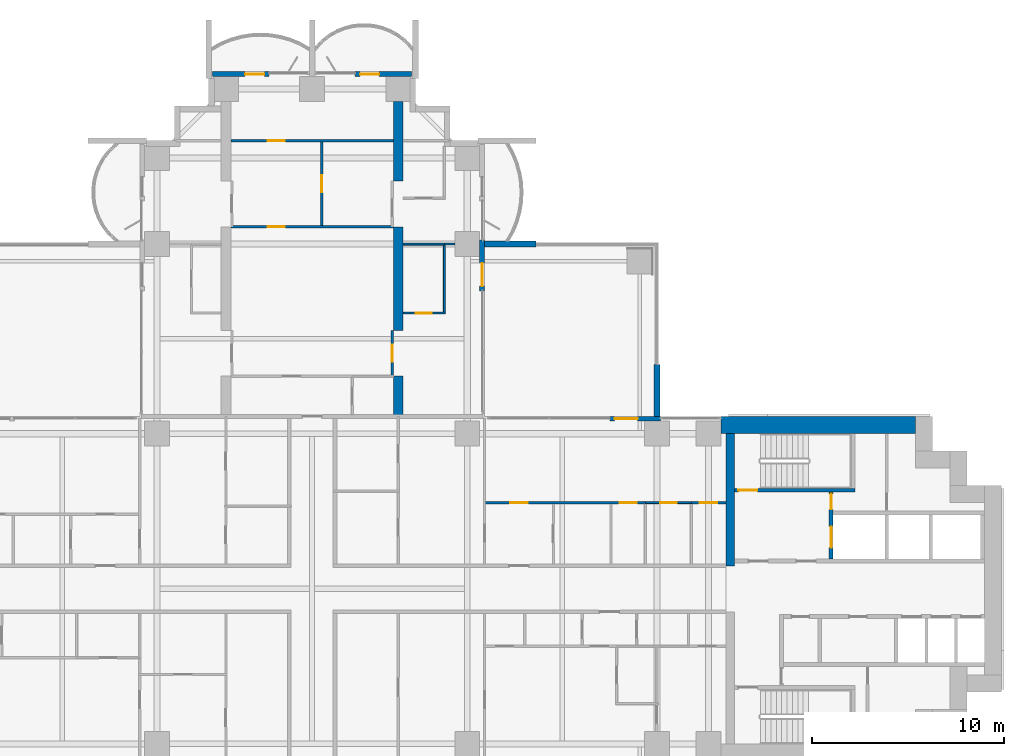
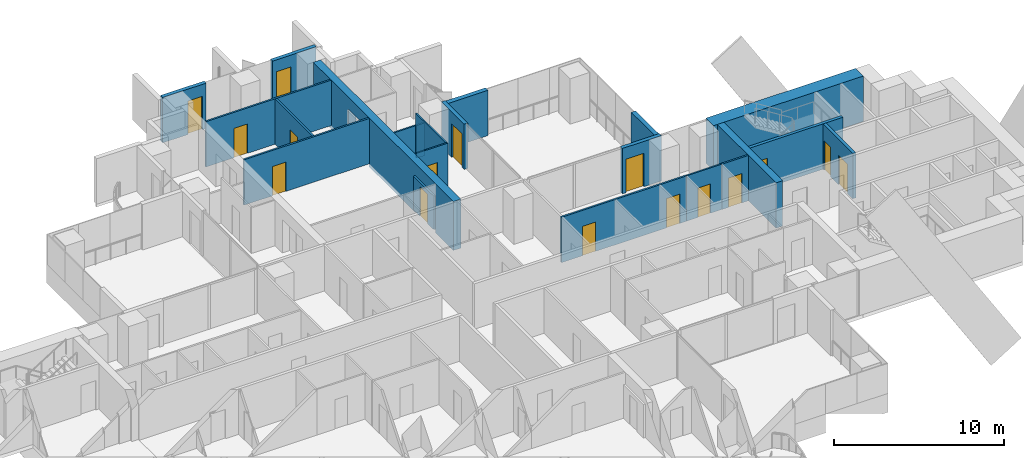
# One storey, part 16 of 23: 22 walls, 16 doors, 16 openings.
"""IFC4 building model written with IfcOpenShell, lengths in metres."""

from ifc_helpers import new_model, si_unit, direction, frame, frame_2d, origin, place, context, subcontext, project, spatial, polyline, rectangle, outline, extrude, material, layer, layer_set, material_profile, profile_set, type_object, element, fill, save


model = new_model("IFC4")

# Units and contexts
model_context = context("Model", 3, precision=1e-05, world=origin(), true_north=direction((0.0, 1.0)))
body_context = subcontext(model_context, "Body", "Model", "MODEL_VIEW")
ifc_project = project(units=[si_unit("LENGTHUNIT", "METRE"), si_unit("AREAUNIT", "SQUARE_METRE"), si_unit("VOLUMEUNIT", "CUBIC_METRE"), si_unit("PLANEANGLEUNIT", "RADIAN"), si_unit("MASSUNIT", "GRAM", prefix="KILO")], contexts=[model_context])

# Site, building, storey
site_placement = place(None, origin())
site = spatial("IfcSite", under=ifc_project, at=site_placement, CompositionType="ELEMENT")
building_placement = place(site_placement, origin())
building = spatial("IfcBuilding", under=site, at=building_placement, Name="Perihelion Cross Residences", CompositionType="ELEMENT")
storey_placement = place(building_placement, frame((0.0, 0.0, 61.0)))
storey = spatial("IfcBuildingStorey", under=building, at=storey_placement, Name="L12", CompositionType="ELEMENT", Elevation=61.0)

# Wall, opening, door
ifc_material_1 = material(Name="Concrete C30/37, bronze-clad", Category="concrete")
ifc_layer_1 = layer(ifc_material_1, 0.25)
ifc_layer_set_1 = layer_set([ifc_layer_1], Name="Bronze-clad pier wall 250")
wall_type_1 = type_object("IfcWallType", Name="Bronze-clad pier wall 250", PredefinedType="SOLIDWALL", material=ifc_layer_set_1)
wall_1_placement = place(storey_placement, frame((18.199951171875, 8.875, 0.0), z_axis=(0.0, 0.0, 1.0), x_axis=(-1.0, 0.0, 0.0)))
wall_1 = element("IfcWall", 1, at=wall_1_placement, inside=storey, type_object=wall_type_1, Name="Wall FW1 L12 east side north bay 2 pier", PredefinedType="SOLIDWALL", context=body_context, shape_type="SweptSolid", body=[
    extrude(rectangle(XDim=2.64990234375, YDim=0.25, at=frame_2d((1.324951171875, 0.0))), origin(), (0.0, 0.0, 1.0), 3.25),
])
opening_1_placement = place(wall_1_placement, frame((1.199951171875, 0.0, 0.0)))
opening_1 = element("IfcOpeningElement", 2, at=opening_1_placement, cuts=wall_1, Name="Opening L12.E01", PredefinedType="OPENING", context=body_context, shape_type="SweptSolid", body=[
    extrude(rectangle(XDim=1.199951171875, YDim=2.39990234375, at=frame_2d((0.60009765625, 1.199951171875))), frame((0.0, 0.135009765625, 0.0), z_axis=(0.0, -1.0, 0.0), x_axis=(1.0, 0.0, 0.0)), (0.0, 0.0, 1.0), 0.27001953125),
])
ifc_material_2 = material(Name="Bronze anodised aluminium, glazed", Category="aluminium")
door_type_1 = type_object("IfcDoorType", Name="Balcony door 1200 x 2400", OperationType="NOTDEFINED", PredefinedType="DOOR", material=ifc_material_2)
door_1_placement = place(opening_1_placement, origin())
door_1 = element("IfcDoor", 3, at=door_1_placement, inside=storey, type_object=door_type_1, Name="Door L12.E01 east side north bay 2", OperationType="SINGLE_SWING_RIGHT", OverallHeight=2.39990234375, OverallWidth=1.199951171875, PredefinedType="DOOR", context=body_context, shape_type="SweptSolid", body=[
    extrude(rectangle(XDim=1.199951171875, YDim=2.39990234375, at=frame_2d((0.60009765625, 1.199951171875))), frame((0.0, 0.02490234375, 0.0), z_axis=(0.0, -1.0, 0.0), x_axis=(1.0, 0.0, 0.0)), (0.0, 0.0, 1.0), 0.050048828125),
])
fill(opening_1, door_1)

wall_2_placement = place(storey_placement, frame((8.875, 15.550048828125, 0.0), z_axis=(0.0, 0.0, 1.0), x_axis=(0.0, 1.0, 0.0)))
wall_2 = element("IfcWall", 4, at=wall_2_placement, inside=storey, type_object=wall_type_1, Name="Wall FW1 L12 north side east bay 1 pier", PredefinedType="SOLIDWALL", context=body_context, shape_type="SweptSolid", body=[
    extrude(rectangle(XDim=2.64990234375, YDim=0.25, at=frame_2d((1.324951171875, 0.0))), origin(), (0.0, 0.0, 1.0), 3.25),
])
opening_2_placement = place(wall_2_placement, frame((0.25, 0.0, 0.0)))
opening_2 = element("IfcOpeningElement", 5, at=opening_2_placement, cuts=wall_2, Name="Opening L12.E02", PredefinedType="OPENING", context=body_context, shape_type="SweptSolid", body=[
    extrude(rectangle(XDim=1.199951171875, YDim=2.39990234375, at=frame_2d((0.60009765625, 1.199951171875))), frame((0.0, 0.135009765625, 0.0), z_axis=(0.0, -1.0, 0.0), x_axis=(1.0, 0.0, 0.0)), (0.0, 0.0, 1.0), 0.27001953125),
])
door_2_placement = place(opening_2_placement, origin())
door_2 = element("IfcDoor", 6, at=door_2_placement, inside=storey, type_object=door_type_1, Name="Door L12.E02 north side east bay 1", OperationType="SINGLE_SWING_LEFT", OverallHeight=2.39990234375, OverallWidth=1.199951171875, PredefinedType="DOOR", context=body_context, shape_type="SweptSolid", body=[
    extrude(rectangle(XDim=1.199951171875, YDim=2.39990234375, at=frame_2d((0.60009765625, 1.199951171875))), frame((0.0, 0.02490234375, 0.0), z_axis=(0.0, -1.0, 0.0), x_axis=(1.0, 0.0, 0.0)), (0.0, 0.0, 1.0), 0.050048828125),
])
fill(opening_2, door_2)

wall_3_placement = place(storey_placement, frame((5.199951171875, 26.875, 0.0), z_axis=(0.0, 0.0, 1.0), x_axis=(-1.0, 0.0, 0.0)))
wall_3 = element("IfcWall", 7, at=wall_3_placement, inside=storey, type_object=wall_type_1, Name="Wall FW1 L12 north tip north bay 1 pier", PredefinedType="SOLIDWALL", context=body_context, shape_type="SweptSolid", body=[
    extrude(rectangle(XDim=2.949951171875, YDim=0.25, at=frame_2d((1.47509765625, 0.0))), origin(), (0.0, 0.0, 1.0), 3.25),
])
opening_3_placement = place(wall_3_placement, frame((1.699951171875, 0.0, 0.0)))
opening_3 = element("IfcOpeningElement", 8, at=opening_3_placement, cuts=wall_3, Name="Opening L12.E04", PredefinedType="OPENING", context=body_context, shape_type="SweptSolid", body=[
    extrude(rectangle(XDim=1.0, YDim=2.39990234375, at=frame_2d((0.5, 1.199951171875))), frame((0.0, 0.135009765625, 0.0), z_axis=(0.0, -1.0, 0.0), x_axis=(1.0, 0.0, 0.0)), (0.0, 0.0, 1.0), 0.27001953125),
])
ifc_material_3 = material(Name="Bronze anodised aluminium, glazed", Category="aluminium")
door_type_2 = type_object("IfcDoorType", Name="Balcony door 1000 x 2400", OperationType="NOTDEFINED", PredefinedType="DOOR", material=ifc_material_3)
door_3_placement = place(opening_3_placement, origin())
door_3 = element("IfcDoor", 9, at=door_3_placement, inside=storey, type_object=door_type_2, Name="Door L12.E04 north tip north bay 1", OperationType="SINGLE_SWING_LEFT", OverallHeight=2.39990234375, OverallWidth=1.0, PredefinedType="DOOR", context=body_context, shape_type="SweptSolid", body=[
    extrude(rectangle(XDim=1.0, YDim=2.39990234375, at=frame_2d((0.5, 1.199951171875))), frame((0.0, 0.02490234375, 0.0), z_axis=(0.0, -1.0, 0.0), x_axis=(1.0, 0.0, 0.0)), (0.0, 0.0, 1.0), 0.050048828125),
])
fill(opening_3, door_3)

wall_4_placement = place(storey_placement, frame((-2.25, 26.875, 0.0), z_axis=(0.0, 0.0, 1.0), x_axis=(-1.0, 0.0, 0.0)))
wall_4 = element("IfcWall", 10, at=wall_4_placement, inside=storey, type_object=wall_type_1, Name="Wall FW1 L12 north tip north bay 2 pier", PredefinedType="SOLIDWALL", context=body_context, shape_type="SweptSolid", body=[
    extrude(rectangle(XDim=2.949951171875, YDim=0.25, at=frame_2d((1.47509765625, 0.0))), origin(), (0.0, 0.0, 1.0), 3.25),
])
opening_4_placement = place(wall_4_placement, frame((0.25, 0.0, 0.0)))
opening_4 = element("IfcOpeningElement", 11, at=opening_4_placement, cuts=wall_4, Name="Opening L12.E05", PredefinedType="OPENING", context=body_context, shape_type="SweptSolid", body=[
    extrude(rectangle(XDim=1.0, YDim=2.39990234375, at=frame_2d((0.5, 1.199951171875))), frame((0.0, 0.135009765625, 0.0), z_axis=(0.0, -1.0, 0.0), x_axis=(1.0, 0.0, 0.0)), (0.0, 0.0, 1.0), 0.27001953125),
])
door_4_placement = place(opening_4_placement, origin())
door_4 = element("IfcDoor", 12, at=door_4_placement, inside=storey, type_object=door_type_2, Name="Door L12.E05 north tip north bay 2", OperationType="SINGLE_SWING_RIGHT", OverallHeight=2.39990234375, OverallWidth=1.0, PredefinedType="DOOR", context=body_context, shape_type="SweptSolid", body=[
    extrude(rectangle(XDim=1.0, YDim=2.39990234375, at=frame_2d((0.5, 1.199951171875))), frame((0.0, 0.02490234375, 0.0), z_axis=(0.0, -1.0, 0.0), x_axis=(1.0, 0.0, 0.0)), (0.0, 0.0, 1.0), 0.050048828125),
])
fill(opening_4, door_4)

# Walls
ifc_material_4 = material(Name="Concrete C60/75", Category="concrete")
ifc_layer_2 = layer(ifc_material_4, 0.449951171875)
ifc_layer_set_2 = layer_set([ifc_layer_2], Name="Core wall, inner 450")
wall_type_2 = type_object("IfcWallType", Name="Core wall, inner 450", PredefinedType="SHEAR", material=ifc_layer_set_2)
wall_5_placement = place(storey_placement, frame((21.824951171875, 1.199951171875, 0.0), z_axis=(0.0, 0.0, 1.0), x_axis=(0.0, 1.0, 0.0)))
element("IfcWall", 13, at=wall_5_placement, inside=storey, type_object=wall_type_2, Name="East core core wall, inner", PredefinedType="SHEAR", context=body_context, shape_type="SweptSolid", body=[
    extrude(rectangle(XDim=6.900146484375, YDim=0.449951171875, at=frame_2d((3.4501953125, 0.0))), origin(), (0.0, 0.0, 1.0), 3.25),
])
ifc_material_5 = material(Name="Concrete C60/75", Category="concrete")
ifc_layer_3 = layer(ifc_material_5, 0.89990234375)
ifc_layer_set_3 = layer_set([ifc_layer_3], Name="Core wall, outer 900")
wall_type_3 = type_object("IfcWallType", Name="Core wall, outer 900", PredefinedType="SHEAR", material=ifc_layer_set_3)
wall_6_placement = place(storey_placement, frame((21.35009765625, 8.550048828125, 0.0), z_axis=(0.0, 0.0, 1.0), x_axis=(1.0, 0.0, 0.0)))
element("IfcWall", 14, at=wall_6_placement, inside=storey, type_object=wall_type_3, Name="East core core wall, outer", PredefinedType="SHEAR", context=body_context, shape_type="SweptSolid", body=[
    extrude(rectangle(XDim=10.14990234375, YDim=0.89990234375, at=frame_2d((5.074951171875, 0.0))), origin(), (0.0, 0.0, 1.0), 3.25),
])

# Wall, opening, door
ifc_material_6 = material(Name="Plasterboard partition")
ifc_layer_4 = layer(ifc_material_6, 0.1201171875)
ifc_layer_set_4 = layer_set([ifc_layer_4], Name="Infill panel 120")
wall_type_4 = type_object("IfcWallType", Name="Infill panel 120", PredefinedType="PARTITIONING", material=ifc_layer_set_4)
wall_7_placement = place(storey_placement, frame((4.18994140625, 11.10009765625, 0.0), z_axis=(0.0, 0.0, 1.0), x_axis=(0.0, 1.0, 0.0)))
wall_7 = element("IfcWall", 15, at=wall_7_placement, inside=storey, type_object=wall_type_4, Name="Partition L12 WI01", PredefinedType="PARTITIONING", context=body_context, shape_type="SweptSolid", body=[
    extrude(rectangle(XDim=2.39990234375, YDim=0.1201171875, at=frame_2d((1.199951171875, 0.0))), origin(), (0.0, 0.0, 1.0), 2.39990234375),
])
opening_5_placement = place(wall_7_placement, frame((0.75, 0.0, 0.0)))
opening_5 = element("IfcOpeningElement", 16, at=opening_5_placement, cuts=wall_7, Name="Opening L12.A57", PredefinedType="OPENING", context=body_context, shape_type="SweptSolid", body=[
    extrude(rectangle(XDim=0.89990234375, YDim=2.10009765625, at=frame_2d((0.449951171875, 1.050048828125))), frame((0.0, 0.070068359375, 0.0), z_axis=(0.0, -1.0, 0.0), x_axis=(1.0, 0.0, 0.0)), (0.0, 0.0, 1.0), 0.14013671875),
])
ifc_material_7 = material(Name="Timber door leaf", Category="wood")
door_type_3 = type_object("IfcDoorType", Name="Interior room door 900 x 2100", OperationType="SINGLE_SWING_LEFT", PredefinedType="DOOR", material=ifc_material_7)
door_5_placement = place(opening_5_placement, origin())
door_5 = element("IfcDoor", 17, at=door_5_placement, inside=storey, type_object=door_type_3, Name="Door L12.A57", OperationType="SINGLE_SWING_LEFT", OverallHeight=2.10009765625, OverallWidth=0.89990234375, PredefinedType="DOOR", context=body_context, shape_type="SweptSolid", body=[
    extrude(rectangle(XDim=0.89990234375, YDim=2.10009765625, at=frame_2d((0.449951171875, 1.050048828125))), frame((0.0, 0.02490234375, 0.0), z_axis=(0.0, -1.0, 0.0), x_axis=(1.0, 0.0, 0.0)), (0.0, 0.0, 1.0), 0.050048828125),
])
fill(opening_5, door_5)

# Wall, openings, doors
ifc_material_8 = material(Name="Plasterboard partition")
ifc_layer_5 = layer(ifc_material_8, 0.1201171875)
ifc_layer_set_5 = layer_set([ifc_layer_5], Name="Partition wall 120")
wall_type_5 = type_object("IfcWallType", Name="Partition wall 120", PredefinedType="PARTITIONING", material=ifc_layer_set_5)
wall_8_placement = place(storey_placement, frame((8.93994140625, 4.5, 0.0), z_axis=(0.0, 0.0, 1.0), x_axis=(1.0, 0.0, 0.0)))
wall_8 = element("IfcWall", 18, at=wall_8_placement, inside=storey, type_object=wall_type_5, Name="Partition L12 W012", PredefinedType="PARTITIONING", context=body_context, shape_type="SweptSolid", body=[
    extrude(rectangle(XDim=8.4599609375, YDim=0.1201171875, at=frame_2d((4.22998046875, 0.0))), origin(), (0.0, 0.0, 1.0), 3.25),
])
opening_6_placement = place(wall_8_placement, frame((7.110107421875, 0.0, 0.0)))
opening_6 = element("IfcOpeningElement", 19, at=opening_6_placement, cuts=wall_8, Name="Opening L12.A06", PredefinedType="OPENING", context=body_context, shape_type="SweptSolid", body=[
    extrude(rectangle(XDim=0.89990234375, YDim=2.10009765625, at=frame_2d((0.449951171875, 1.050048828125))), frame((0.0, 0.070068359375, 0.0), z_axis=(0.0, -1.0, 0.0), x_axis=(1.0, 0.0, 0.0)), (0.0, 0.0, 1.0), 0.14013671875),
])
opening_7_placement = place(wall_8_placement, frame((1.409912109375, 0.0, 0.0)))
opening_7 = element("IfcOpeningElement", 20, at=opening_7_placement, cuts=wall_8, Name="Opening L12.A08", PredefinedType="OPENING", context=body_context, shape_type="SweptSolid", body=[
    extrude(rectangle(XDim=0.89990234375, YDim=2.10009765625, at=frame_2d((0.449951171875, 1.050048828125))), frame((0.0, 0.070068359375, 0.0), z_axis=(0.0, -1.0, 0.0), x_axis=(1.0, 0.0, 0.0)), (0.0, 0.0, 1.0), 0.14013671875),
])
door_6_placement = place(opening_6_placement, origin())
door_6 = element("IfcDoor", 21, at=door_6_placement, inside=storey, type_object=door_type_3, Name="Door L12.A06", OperationType="SINGLE_SWING_RIGHT", OverallHeight=2.10009765625, OverallWidth=0.89990234375, PredefinedType="DOOR", context=body_context, shape_type="SweptSolid", body=[
    extrude(rectangle(XDim=0.89990234375, YDim=2.10009765625, at=frame_2d((0.449951171875, 1.050048828125))), frame((0.0, 0.02490234375, 0.0), z_axis=(0.0, -1.0, 0.0), x_axis=(1.0, 0.0, 0.0)), (0.0, 0.0, 1.0), 0.050048828125),
])
fill(opening_6, door_6)
door_7_placement = place(opening_7_placement, origin())
door_7 = element("IfcDoor", 22, at=door_7_placement, inside=storey, type_object=door_type_3, Name="Door L12.A08", OperationType="SINGLE_SWING_RIGHT", OverallHeight=2.10009765625, OverallWidth=0.89990234375, PredefinedType="DOOR", context=body_context, shape_type="SweptSolid", body=[
    extrude(rectangle(XDim=0.89990234375, YDim=2.10009765625, at=frame_2d((0.449951171875, 1.050048828125))), frame((0.0, 0.02490234375, 0.0), z_axis=(0.0, -1.0, 0.0), x_axis=(1.0, 0.0, 0.0)), (0.0, 0.0, 1.0), 0.050048828125),
])
fill(opening_7, door_7)

# Wall, opening, door
wall_9_placement = place(storey_placement, frame((19.800048828125, 4.5, 0.0), z_axis=(0.0, 0.0, 1.0), x_axis=(1.0, 0.0, 0.0)))
wall_9 = element("IfcWall", 23, at=wall_9_placement, inside=storey, type_object=wall_type_5, Name="Partition L12 W018", PredefinedType="PARTITIONING", context=body_context, shape_type="SweptSolid", body=[
    extrude(rectangle(XDim=1.800048828125, YDim=0.1201171875, at=frame_2d((0.89990234375, 0.0))), origin(), (0.0, 0.0, 1.0), 3.25),
])
opening_8_placement = place(wall_9_placement, frame((0.449951171875, 0.0, 0.0)))
opening_8 = element("IfcOpeningElement", 24, at=opening_8_placement, cuts=wall_9, Name="Opening L12.A02", PredefinedType="OPENING", context=body_context, shape_type="SweptSolid", body=[
    extrude(rectangle(XDim=0.89990234375, YDim=2.10009765625, at=frame_2d((0.449951171875, 1.050048828125))), frame((0.0, 0.070068359375, 0.0), z_axis=(0.0, -1.0, 0.0), x_axis=(1.0, 0.0, 0.0)), (0.0, 0.0, 1.0), 0.14013671875),
])
door_8_placement = place(opening_8_placement, origin())
door_8 = element("IfcDoor", 25, at=door_8_placement, inside=storey, type_object=door_type_3, Name="Door L12.A02", OperationType="SINGLE_SWING_RIGHT", OverallHeight=2.10009765625, OverallWidth=0.89990234375, PredefinedType="DOOR", context=body_context, shape_type="SweptSolid", body=[
    extrude(rectangle(XDim=0.89990234375, YDim=2.10009765625, at=frame_2d((0.449951171875, 1.050048828125))), frame((0.0, 0.02490234375, 0.0), z_axis=(0.0, -1.0, 0.0), x_axis=(1.0, 0.0, 0.0)), (0.0, 0.0, 1.0), 0.050048828125),
])
fill(opening_8, door_8)

wall_10_placement = place(storey_placement, frame((-4.25, 18.89990234375, 0.0), z_axis=(0.0, 0.0, 1.0), x_axis=(1.0, 0.0, 0.0)))
wall_10 = element("IfcWall", 26, at=wall_10_placement, inside=storey, type_object=wall_type_5, Name="Partition L12 W063", PredefinedType="PARTITIONING", context=body_context, shape_type="SweptSolid", body=[
    extrude(rectangle(XDim=8.5, YDim=0.1201171875, at=frame_2d((4.25, 0.0))), origin(), (0.0, 0.0, 1.0), 3.25),
])
opening_9_placement = place(wall_10_placement, frame((1.925048828125, 0.0, 0.0)))
opening_9 = element("IfcOpeningElement", 27, at=opening_9_placement, cuts=wall_10, Name="Opening L12.A39", PredefinedType="OPENING", context=body_context, shape_type="SweptSolid", body=[
    extrude(rectangle(XDim=0.89990234375, YDim=2.10009765625, at=frame_2d((0.449951171875, 1.050048828125))), frame((0.0, 0.070068359375, 0.0), z_axis=(0.0, -1.0, 0.0), x_axis=(1.0, 0.0, 0.0)), (0.0, 0.0, 1.0), 0.14013671875),
])
door_9_placement = place(opening_9_placement, origin())
door_9 = element("IfcDoor", 28, at=door_9_placement, inside=storey, type_object=door_type_3, Name="Door L12.A39", OperationType="SINGLE_SWING_RIGHT", OverallHeight=2.10009765625, OverallWidth=0.89990234375, PredefinedType="DOOR", context=body_context, shape_type="SweptSolid", body=[
    extrude(rectangle(XDim=0.89990234375, YDim=2.10009765625, at=frame_2d((0.449951171875, 1.050048828125))), frame((0.0, 0.02490234375, 0.0), z_axis=(0.0, -1.0, 0.0), x_axis=(1.0, 0.0, 0.0)), (0.0, 0.0, 1.0), 0.050048828125),
])
fill(opening_9, door_9)

wall_11_placement = place(storey_placement, frame((0.5, 23.340087890625, 0.0), z_axis=(0.0, 0.0, 1.0), x_axis=(0.0, -1.0, 0.0)))
wall_11 = element("IfcWall", 29, at=wall_11_placement, inside=storey, type_object=wall_type_5, Name="Partition L12 W064", PredefinedType="PARTITIONING", context=body_context, shape_type="SweptSolid", body=[
    extrude(rectangle(XDim=4.380126953125, YDim=0.1201171875, at=frame_2d((2.18994140625, 0.0))), origin(), (0.0, 0.0, 1.0), 3.25),
])
opening_10_placement = place(wall_11_placement, frame((1.739990234375, 0.0, 0.0)))
opening_10 = element("IfcOpeningElement", 30, at=opening_10_placement, cuts=wall_11, Name="Opening L12.A40", PredefinedType="OPENING", context=body_context, shape_type="SweptSolid", body=[
    extrude(rectangle(XDim=0.89990234375, YDim=2.10009765625, at=frame_2d((0.449951171875, 1.050048828125))), frame((0.0, 0.070068359375, 0.0), z_axis=(0.0, -1.0, 0.0), x_axis=(1.0, 0.0, 0.0)), (0.0, 0.0, 1.0), 0.14013671875),
])
door_10_placement = place(opening_10_placement, origin())
door_10 = element("IfcDoor", 31, at=door_10_placement, inside=storey, type_object=door_type_3, Name="Door L12.A40", OperationType="SINGLE_SWING_LEFT", OverallHeight=2.10009765625, OverallWidth=0.89990234375, PredefinedType="DOOR", context=body_context, shape_type="SweptSolid", body=[
    extrude(rectangle(XDim=0.89990234375, YDim=2.10009765625, at=frame_2d((0.449951171875, 1.050048828125))), frame((0.0, 0.02490234375, 0.0), z_axis=(0.0, -1.0, 0.0), x_axis=(1.0, 0.0, 0.0)), (0.0, 0.0, 1.0), 0.050048828125),
])
fill(opening_10, door_10)

wall_12_placement = place(storey_placement, frame((-4.25, 23.39990234375, 0.0), z_axis=(0.0, 0.0, 1.0), x_axis=(1.0, 0.0, 0.0)))
wall_12 = element("IfcWall", 32, at=wall_12_placement, inside=storey, type_object=wall_type_5, Name="Partition L12 W065", PredefinedType="PARTITIONING", context=body_context, shape_type="SweptSolid", body=[
    extrude(rectangle(XDim=8.5, YDim=0.1201171875, at=frame_2d((4.25, 0.0))), origin(), (0.0, 0.0, 1.0), 3.25),
])
opening_11_placement = place(wall_12_placement, frame((1.925048828125, 0.0, 0.0)))
opening_11 = element("IfcOpeningElement", 33, at=opening_11_placement, cuts=wall_12, Name="Opening L12.A41", PredefinedType="OPENING", context=body_context, shape_type="SweptSolid", body=[
    extrude(rectangle(XDim=0.89990234375, YDim=2.10009765625, at=frame_2d((0.449951171875, 1.050048828125))), frame((0.0, 0.070068359375, 0.0), z_axis=(0.0, -1.0, 0.0), x_axis=(1.0, 0.0, 0.0)), (0.0, 0.0, 1.0), 0.14013671875),
])
door_11_placement = place(opening_11_placement, origin())
door_11 = element("IfcDoor", 34, at=door_11_placement, inside=storey, type_object=door_type_3, Name="Door L12.A41", OperationType="SINGLE_SWING_LEFT", OverallHeight=2.10009765625, OverallWidth=0.89990234375, PredefinedType="DOOR", context=body_context, shape_type="SweptSolid", body=[
    extrude(rectangle(XDim=0.89990234375, YDim=2.10009765625, at=frame_2d((0.449951171875, 1.050048828125))), frame((0.0, 0.02490234375, 0.0), z_axis=(0.0, -1.0, 0.0), x_axis=(1.0, 0.0, 0.0)), (0.0, 0.0, 1.0), 0.050048828125),
])
fill(opening_11, door_11)

# Walls
wall_13_placement = place(storey_placement, frame((6.89990234375, 18.0, 0.0), z_axis=(0.0, 0.0, 1.0), x_axis=(1.0, 0.0, 0.0)))
element("IfcWall", 35, at=wall_13_placement, inside=storey, type_object=wall_type_5, Name="Partition L12 W068", PredefinedType="PARTITIONING", context=body_context, shape_type="SweptSolid", body=[
    extrude(rectangle(XDim=0.550048828125, YDim=0.1201171875, at=frame_2d((0.27490234375, 0.0))), origin(), (0.0, 0.0, 1.0), 2.345947265625),
])
ifc_material_9 = material(Name="Precast concrete C50/60", Category="concrete")
ifc_layer_6 = layer(ifc_material_9, 0.300048828125)
ifc_layer_set_6 = layer_set([ifc_layer_6], Name="Precast concrete C50/60 blade wall 300")
wall_type_6 = type_object("IfcWallType", Name="Precast concrete C50/60 blade wall 300", PredefinedType="SOLIDWALL", material=ifc_layer_set_6)
for number, where, z_axis, x_axis, name in (
    (36, (8.75, 18.0, 0.0), (0.0, 0.0, 1.0), (1.0, 0.0, 0.0), "Wall BL1 L12 no. 17"),
    (37, (18.0, 8.75, 0.0), (0.0, 0.0, 1.0), (0.0, 1.0, 0.0), "Wall BL1 L12 no. 12"),
):
    element("IfcWall", number, at=place(storey_placement, frame(where, z_axis=z_axis, x_axis=x_axis)), inside=storey, type_object=wall_type_6, Name=name, PredefinedType="SOLIDWALL", context=body_context, shape_type="SweptSolid", body=[
        extrude(rectangle(XDim=2.949951171875, YDim=0.300048828125, at=frame_2d((1.47509765625, 0.0))), origin(), (0.0, 0.0, 1.0), 3.25),
    ])

# Wall, openings, doors
ifc_material_10 = material(Name="Concrete C50/60", Category="concrete")
ifc_layer_7 = layer(ifc_material_10, 0.199951171875)
ifc_layer_set_7 = layer_set([ifc_layer_7], Name="Shaft wall 200")
wall_type_7 = type_object("IfcWallType", Name="Shaft wall 200", PredefinedType="SOLIDWALL", material=ifc_layer_set_7)
wall_14_placement = place(storey_placement, frame((27.10009765625, 1.550048828125, 0.0), z_axis=(0.0, 0.0, 1.0), x_axis=(0.0, 1.0, 0.0)))
wall_14 = element("IfcWall", 38, at=wall_14_placement, inside=storey, type_object=wall_type_7, Name="East core shaft wall", PredefinedType="SOLIDWALL", context=body_context, shape_type="SweptSolid", body=[
    extrude(rectangle(XDim=3.5, YDim=0.199951171875, at=frame_2d((1.75, 0.0))), origin(), (0.0, 0.0, 1.0), 3.25),
])
opening_12_placement = place(wall_14_placement, frame((0.60009765625, 0.0, 0.0)))
opening_12 = element("IfcOpeningElement", 39, at=opening_12_placement, cuts=wall_14, Name="Opening L12.C01", PredefinedType="OPENING", context=body_context, shape_type="SweptSolid", body=[
    extrude(rectangle(XDim=1.10009765625, YDim=2.10009765625, at=frame_2d((0.550048828125, 1.050048828125))), frame((0.0, 0.10986328125, 0.0), z_axis=(0.0, -1.0, 0.0), x_axis=(1.0, 0.0, 0.0)), (0.0, 0.0, 1.0), 0.219970703125),
])
opening_13_placement = place(wall_14_placement, frame((2.60009765625, 0.0, 0.0)))
opening_13 = element("IfcOpeningElement", 40, at=opening_13_placement, cuts=wall_14, Name="Opening L12.C11", PredefinedType="OPENING", context=body_context, shape_type="SweptSolid", body=[
    extrude(rectangle(XDim=0.800048828125, YDim=2.10009765625, at=frame_2d((0.39990234375, 1.050048828125))), frame((0.0, 0.10986328125, 0.0), z_axis=(0.0, -1.0, 0.0), x_axis=(1.0, 0.0, 0.0)), (0.0, 0.0, 1.0), 0.219970703125),
])
ifc_material_11 = material(Name="Stainless steel", Category="steel")
door_type_4 = type_object("IfcDoorType", Name="Landing door, firefighting lift 1100", OperationType="DOUBLE_DOOR_SLIDING", PredefinedType="DOOR", material=ifc_material_11)
door_12_placement = place(opening_12_placement, origin())
door_12 = element("IfcDoor", 41, at=door_12_placement, inside=storey, type_object=door_type_4, Name="Landing door, East core firefighting and service lift", OperationType="DOUBLE_DOOR_SLIDING", OverallHeight=2.10009765625, OverallWidth=1.10009765625, PredefinedType="DOOR", context=body_context, shape_type="SweptSolid", body=[
    extrude(rectangle(XDim=1.10009765625, YDim=2.10009765625, at=frame_2d((0.550048828125, 1.050048828125))), frame((0.0, 0.02490234375, 0.0), z_axis=(0.0, -1.0, 0.0), x_axis=(1.0, 0.0, 0.0)), (0.0, 0.0, 1.0), 0.050048828125),
])
fill(opening_12, door_12)
ifc_material_12 = material(Name="Steel, powder coated", Category="steel")
door_type_5 = type_object("IfcDoorType", Name="Riser door 800", OperationType="SINGLE_SWING_LEFT", PredefinedType="DOOR", material=ifc_material_12)
door_13_placement = place(opening_13_placement, origin())
door_13 = element("IfcDoor", 42, at=door_13_placement, inside=storey, type_object=door_type_5, Name="East core riser door", OperationType="SINGLE_SWING_LEFT", OverallHeight=2.10009765625, OverallWidth=0.800048828125, PredefinedType="DOOR", context=body_context, shape_type="SweptSolid", body=[
    extrude(rectangle(XDim=0.800048828125, YDim=2.10009765625, at=frame_2d((0.39990234375, 1.050048828125))), frame((0.0, 0.02490234375, 0.0), z_axis=(0.0, -1.0, 0.0), x_axis=(1.0, 0.0, 0.0)), (0.0, 0.0, 1.0), 0.050048828125),
])
fill(opening_13, door_13)

# Wall, opening, door
ifc_material_13 = material(Name="Concrete C50/60", Category="concrete")
ifc_layer_8 = layer(ifc_material_13, 0.199951171875)
ifc_layer_set_8 = layer_set([ifc_layer_8], Name="Stair wall 200")
wall_type_8 = type_object("IfcWallType", Name="Stair wall 200", PredefinedType="SOLIDWALL", material=ifc_layer_set_8)
wall_15_placement = place(storey_placement, frame((22.050048828125, 5.14990234375, 0.0), z_axis=(0.0, 0.0, 1.0), x_axis=(1.0, 0.0, 0.0)))
wall_15 = element("IfcWall", 43, at=wall_15_placement, inside=storey, type_object=wall_type_8, Name="East core stair wall", PredefinedType="SOLIDWALL", context=body_context, shape_type="SweptSolid", body=[
    extrude(rectangle(XDim=6.300048828125, YDim=0.199951171875, at=frame_2d((3.14990234375, 0.0))), origin(), (0.0, 0.0, 1.0), 3.25),
])
opening_14_placement = place(wall_15_placement, frame((0.199951171875, 0.0, 0.0)))
opening_14 = element("IfcOpeningElement", 44, at=opening_14_placement, cuts=wall_15, Name="Opening L12.C06", PredefinedType="OPENING", context=body_context, shape_type="SweptSolid", body=[
    extrude(rectangle(XDim=1.0, YDim=2.10009765625, at=frame_2d((0.5, 1.050048828125))), frame((0.0, 0.10986328125, 0.0), z_axis=(0.0, -1.0, 0.0), x_axis=(1.0, 0.0, 0.0)), (0.0, 0.0, 1.0), 0.219970703125),
])
ifc_material_14 = material(Name="Steel, powder coated", Category="steel")
door_type_6 = type_object("IfcDoorType", Name="Stair door 1000", OperationType="SINGLE_SWING_LEFT", PredefinedType="DOOR", material=ifc_material_14)
door_14_placement = place(opening_14_placement, origin())
door_14 = element("IfcDoor", 45, at=door_14_placement, inside=storey, type_object=door_type_6, Name="East core stair door", OperationType="SINGLE_SWING_LEFT", OverallHeight=2.10009765625, OverallWidth=1.0, PredefinedType="DOOR", context=body_context, shape_type="SweptSolid", body=[
    extrude(rectangle(XDim=1.0, YDim=2.10009765625, at=frame_2d((0.5, 1.050048828125))), frame((0.0, 0.02490234375, 0.0), z_axis=(0.0, -1.0, 0.0), x_axis=(1.0, 0.0, 0.0)), (0.0, 0.0, 1.0), 0.050048828125),
])
fill(opening_14, door_14)

# Wall
ifc_material_15 = material(Name="Concrete C60/75", Category="concrete")
ifc_material_profile = material_profile(ifc_material_15, outline(polyline([(0.0, 0.0), (2.10009765625, 0.0), (2.10009765625, 2.64990234375), (4.5, 2.64990234375), (4.5, 0.0), (9.89990234375, 0.0), (9.89990234375, 2.64990234375), (12.300048828125, 2.64990234375), (12.300048828125, 0.0), (16.449951171875, 0.0), (16.449951171875, 3.5), (0.0, 3.5), (0.0, 0.0)])), Name="Tip spine wall")
ifc_profile_set = profile_set([ifc_material_profile], Name="Concrete C60/75")
wall_type_9 = type_object("IfcWallType", Name="Tip spine wall 500 with 2 door openings 16450 long 3500 high concrete C60/75 hand B", PredefinedType="SHEAR", material=ifc_profile_set)
wall_16_placement = place(storey_placement, frame((4.25, 9.0, -0.25), z_axis=(1.0, 0.0, 0.0), x_axis=(0.0, 1.0, 0.0)))
element("IfcWall", 46, at=wall_16_placement, inside=storey, type_object=wall_type_9, Name="Shear wall SW23 L12 north east", PredefinedType="SHEAR", context=body_context, shape_type="SweptSolid", body=[
    extrude(outline(polyline([(0.0, 0.0), (2.10009765625, 0.0), (2.10009765625, 2.64990234375), (4.5, 2.64990234375), (4.5, 0.0), (9.89990234375, 0.0), (9.89990234375, 2.64990234375), (12.300048828125, 2.64990234375), (12.300048828125, 0.0), (16.449951171875, 0.0), (16.449951171875, 3.5), (0.0, 3.5), (0.0, 0.0)])), origin(), (0.0, 0.0, 1.0), 0.5),
])

# Wall, opening, door
ifc_material_16 = material(Name="Plasterboard partition")
ifc_layer_9 = layer(ifc_material_16, 0.10009765625)
ifc_layer_set_9 = layer_set([ifc_layer_9], Name="Wet room wall 100")
wall_type_10 = type_object("IfcWallType", Name="Wet room wall 100", PredefinedType="PARTITIONING", material=ifc_layer_set_9)
wall_17_placement = place(storey_placement, frame((17.39990234375, 4.5, 0.0), z_axis=(0.0, 0.0, 1.0), x_axis=(1.0, 0.0, 0.0)))
wall_17 = element("IfcWall", 47, at=wall_17_placement, inside=storey, type_object=wall_type_10, Name="Partition L12 W017", PredefinedType="PARTITIONING", context=body_context, shape_type="SweptSolid", body=[
    extrude(rectangle(XDim=2.400146484375, YDim=0.10009765625, at=frame_2d((1.2001953125, 0.0))), origin(), (0.0, 0.0, 1.0), 3.25),
])
opening_15_placement = place(wall_17_placement, frame((0.77490234375, 0.0, 0.0)))
opening_15 = element("IfcOpeningElement", 48, at=opening_15_placement, cuts=wall_17, Name="Opening L12.A01", PredefinedType="OPENING", context=body_context, shape_type="SweptSolid", body=[
    extrude(rectangle(XDim=0.85009765625, YDim=2.10009765625, at=frame_2d((0.425048828125, 1.050048828125))), frame((0.0, 0.06005859375, 0.0), z_axis=(0.0, -1.0, 0.0), x_axis=(1.0, 0.0, 0.0)), (0.0, 0.0, 1.0), 0.1201171875),
])
ifc_material_17 = material(Name="Timber door leaf", Category="wood")
door_type_7 = type_object("IfcDoorType", Name="Interior bathroom door 850 x 2100", OperationType="SINGLE_SWING_LEFT", PredefinedType="DOOR", material=ifc_material_17)
door_15_placement = place(opening_15_placement, origin())
door_15 = element("IfcDoor", 49, at=door_15_placement, inside=storey, type_object=door_type_7, Name="Door L12.A01", OperationType="SINGLE_SWING_RIGHT", OverallHeight=2.10009765625, OverallWidth=0.85009765625, PredefinedType="DOOR", context=body_context, shape_type="SweptSolid", body=[
    extrude(rectangle(XDim=0.85009765625, YDim=2.10009765625, at=frame_2d((0.425048828125, 1.050048828125))), frame((0.0, 0.02490234375, 0.0), z_axis=(0.0, -1.0, 0.0), x_axis=(1.0, 0.0, 0.0)), (0.0, 0.0, 1.0), 0.050048828125),
])
fill(opening_15, door_15)

wall_18_placement = place(storey_placement, frame((4.75, 14.39990234375, 0.0), z_axis=(0.0, 0.0, 1.0), x_axis=(1.0, 0.0, 0.0)))
wall_18 = element("IfcWall", 50, at=wall_18_placement, inside=storey, type_object=wall_type_10, Name="Partition L12 W066", PredefinedType="PARTITIONING", context=body_context, shape_type="SweptSolid", body=[
    extrude(rectangle(XDim=2.199951171875, YDim=0.10009765625, at=frame_2d((1.10009765625, 0.0))), origin(), (0.0, 0.0, 1.0), 3.25),
])
opening_16_placement = place(wall_18_placement, frame((0.64990234375, 0.0, 0.0)))
opening_16 = element("IfcOpeningElement", 51, at=opening_16_placement, cuts=wall_18, Name="Opening L12.A42", PredefinedType="OPENING", context=body_context, shape_type="SweptSolid", body=[
    extrude(rectangle(XDim=0.85009765625, YDim=2.10009765625, at=frame_2d((0.425048828125, 1.050048828125))), frame((0.0, 0.06005859375, 0.0), z_axis=(0.0, -1.0, 0.0), x_axis=(1.0, 0.0, 0.0)), (0.0, 0.0, 1.0), 0.1201171875),
])
door_16_placement = place(opening_16_placement, origin())
door_16 = element("IfcDoor", 52, at=door_16_placement, inside=storey, type_object=door_type_7, Name="Door L12.A42", OperationType="SINGLE_SWING_RIGHT", OverallHeight=2.10009765625, OverallWidth=0.85009765625, PredefinedType="DOOR", context=body_context, shape_type="SweptSolid", body=[
    extrude(rectangle(XDim=0.85009765625, YDim=2.10009765625, at=frame_2d((0.425048828125, 1.050048828125))), frame((0.0, 0.02490234375, 0.0), z_axis=(0.0, -1.0, 0.0), x_axis=(1.0, 0.0, 0.0)), (0.0, 0.0, 1.0), 0.050048828125),
])
fill(opening_16, door_16)

# Walls
wall_19_placement = place(storey_placement, frame((6.89990234375, 14.449951171875, 0.0), z_axis=(0.0, 0.0, 1.0), x_axis=(0.0, 1.0, 0.0)))
element("IfcWall", 53, at=wall_19_placement, inside=storey, type_object=wall_type_10, Name="Partition L12 W067", PredefinedType="PARTITIONING", context=body_context, shape_type="SweptSolid", body=[
    extrude(rectangle(XDim=3.489990234375, YDim=0.10009765625, at=frame_2d((1.7451171875, 0.0))), origin(), (0.0, 0.0, 1.0), 3.25),
])
wall_20_placement = place(storey_placement, frame((4.75, 18.0, 0.0), z_axis=(0.0, 0.0, 1.0), x_axis=(1.0, 0.0, 0.0)))
element("IfcWall", 54, at=wall_20_placement, inside=storey, type_object=wall_type_10, Name="Partition L12 W069", PredefinedType="PARTITIONING", context=body_context, shape_type="SweptSolid", body=[
    extrude(rectangle(XDim=2.14990234375, YDim=0.10009765625, at=frame_2d((1.074951171875, 0.0))), origin(), (0.0, 0.0, 1.0), 2.345947265625),
])

save(model, "model.ifc")
